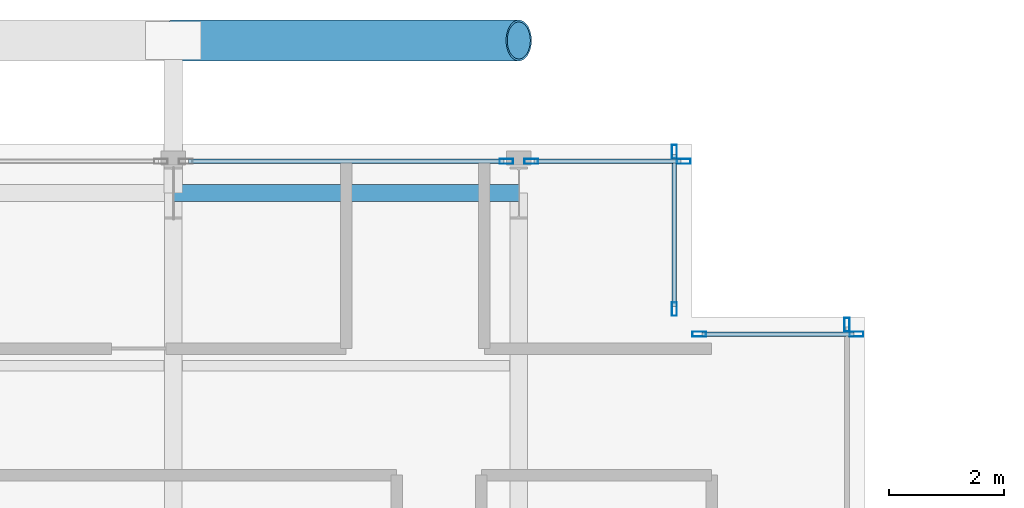
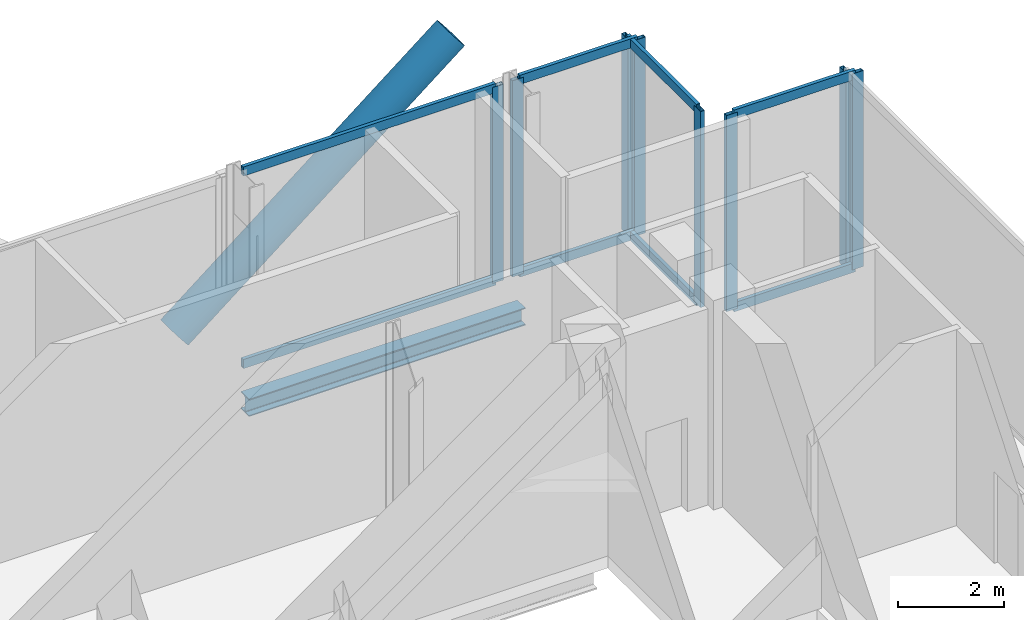
# One storey, part 12 of 22: 17 members, 1 beam, 5 elements without a shape of their own.
"""IFC4 building model written with IfcOpenShell, lengths in metres."""

from ifc_helpers import new_model, si_unit, direction, frame, origin, origin_2d, place, context, subcontext, project, spatial, hollow_rectangle, hollow_circle, i_section, extrude, material, layer, layer_set, material_profile, profile_set, type_object, element, aggregate, save


model = new_model("IFC4")

# Units and contexts
model_context = context("Model", 3, precision=1e-05, world=origin(), true_north=direction((0.0, 1.0)))
body_context = subcontext(model_context, "Body", "Model", "MODEL_VIEW")
ifc_project = project(units=[si_unit("LENGTHUNIT", "METRE"), si_unit("AREAUNIT", "SQUARE_METRE"), si_unit("VOLUMEUNIT", "CUBIC_METRE"), si_unit("PLANEANGLEUNIT", "RADIAN"), si_unit("MASSUNIT", "GRAM", prefix="KILO"), si_unit("THERMODYNAMICTEMPERATUREUNIT", "KELVIN"), si_unit("POWERUNIT", "WATT")], contexts=[model_context])

# Site, building, storey
site_placement = place(None, origin())
site = spatial("IfcSite", under=ifc_project, at=site_placement, CompositionType="ELEMENT")
building_placement = place(site_placement, origin())
building = spatial("IfcBuilding", under=site, at=building_placement, Name="Svarakhadi Broadcast Tower", CompositionType="ELEMENT")
storey_placement = place(building_placement, frame((0.0, 0.0, 199.199951171875)))
storey = spatial("IfcBuildingStorey", under=building, at=storey_placement, Name="L49", CompositionType="ELEMENT", Elevation=199.199951171875)

# Curtain wall, member
ifc_material_1 = material(Name="Anodised Bronze Aluminium AA 6063-T6", Category="aluminium")
ifc_layer = layer(ifc_material_1, 0.239990234375)
ifc_layer_set = layer_set([ifc_layer], Name="Anodised Bronze Aluminium AA 6063-T6")
curtain_wall_type = type_object("IfcCurtainWallType", Name="CW_Sys_06", PredefinedType="NOTDEFINED", material=ifc_layer_set)
curtain_wall_1_placement = place(storey_placement, origin())
curtain_wall_1 = element("IfcCurtainWall", 1, at=curtain_wall_1_placement, inside=storey, type_object=curtain_wall_type, Name="L49 Unitised Facade Curtain Wall 06 Bay 2", PredefinedType="NOTDEFINED")
ifc_material_profile_1 = material_profile(ifc_material_1, hollow_rectangle(XDim=0.090087890625, YDim=0.239990234375, WallThickness=0.006103515625, at=origin_2d()), Name="ALU MULLION 240x90x6")
ifc_profile_set_1 = profile_set([ifc_material_profile_1], Name="Anodised Bronze Aluminium AA 6063-T6")
member_type_1 = type_object("IfcMemberType", Name="CW_Sys_06_Mul", PredefinedType="MULLION", material=ifc_profile_set_1)
member_1_placement = place(storey_placement, frame((17.784912109375, 35.699951171875, 0.0), z_axis=(0.0, 0.0, 1.0), x_axis=(0.0, 1.0, 0.0)))
member_1 = element("IfcMember", 2, at=member_1_placement, type_object=member_type_1, Name="CW-06 mullion 2", PredefinedType="MULLION", context=body_context, shape_type="SweptSolid", body=[
    extrude(hollow_rectangle(XDim=0.090087890625, YDim=0.239990234375, WallThickness=0.006103515625, at=origin_2d()), origin(), (0.0, 0.0, 1.0), 4.5),
])

# Curtain wall, members
curtain_wall_2_placement = place(storey_placement, origin())
curtain_wall_2 = element("IfcCurtainWall", 3, at=curtain_wall_2_placement, inside=storey, type_object=curtain_wall_type, Name="L49 Unitised Facade Curtain Wall 06 Bay 3", PredefinedType="NOTDEFINED")
member_2_placement = place(storey_placement, frame((18.215087890625, 35.699951171875, 0.0), z_axis=(0.0, 0.0, 1.0), x_axis=(0.0, 1.0, 0.0)))
member_2 = element("IfcMember", 4, at=member_2_placement, type_object=member_type_1, Name="CW-06 mullion 1", PredefinedType="MULLION", context=body_context, shape_type="SweptSolid", body=[
    extrude(hollow_rectangle(XDim=0.090087890625, YDim=0.239990234375, WallThickness=0.006103515625, at=origin_2d()), origin(), (0.0, 0.0, 1.0), 4.5),
])
member_3_placement = place(storey_placement, frame((20.864990234375, 35.699951171875, 0.0), z_axis=(0.0, 0.0, 1.0), x_axis=(0.0, 1.0, 0.0)))
member_3 = element("IfcMember", 5, at=member_3_placement, type_object=member_type_1, Name="CW-06 mullion 2", PredefinedType="MULLION", context=body_context, shape_type="SweptSolid", body=[
    extrude(hollow_rectangle(XDim=0.090087890625, YDim=0.239990234375, WallThickness=0.006103515625, at=origin_2d()), origin(), (0.0, 0.0, 1.0), 4.5),
])

curtain_wall_3_placement = place(storey_placement, origin())
curtain_wall_3 = element("IfcCurtainWall", 6, at=curtain_wall_3_placement, inside=storey, type_object=curtain_wall_type, Name="L49 Unitised Facade Curtain Wall 07", PredefinedType="NOTDEFINED")
member_4_placement = place(storey_placement, frame((20.699951171875, 35.864990234375, 0.0), z_axis=(0.0, 0.0, 1.0), x_axis=(1.0, 0.0, 0.0)))
member_4 = element("IfcMember", 7, at=member_4_placement, type_object=member_type_1, Name="CW-06 mullion 1", PredefinedType="MULLION", context=body_context, shape_type="SweptSolid", body=[
    extrude(hollow_rectangle(XDim=0.090087890625, YDim=0.239990234375, WallThickness=0.006103515625, at=origin_2d()), origin(), (0.0, 0.0, 1.0), 4.5),
])
member_5_placement = place(storey_placement, frame((20.699951171875, 33.135009765625, 0.0), z_axis=(0.0, 0.0, 1.0), x_axis=(1.0, 0.0, 0.0)))
member_5 = element("IfcMember", 8, at=member_5_placement, type_object=member_type_1, Name="CW-06 mullion 2", PredefinedType="MULLION", context=body_context, shape_type="SweptSolid", body=[
    extrude(hollow_rectangle(XDim=0.090087890625, YDim=0.239990234375, WallThickness=0.006103515625, at=origin_2d()), origin(), (0.0, 0.0, 1.0), 4.5),
])

curtain_wall_4_placement = place(storey_placement, origin())
curtain_wall_4 = element("IfcCurtainWall", 9, at=curtain_wall_4_placement, inside=storey, type_object=curtain_wall_type, Name="L49 Unitised Facade Curtain Wall 08", PredefinedType="NOTDEFINED")
member_6_placement = place(storey_placement, frame((21.135009765625, 32.699951171875, 0.0), z_axis=(0.0, 0.0, 1.0), x_axis=(0.0, 1.0, 0.0)))
member_6 = element("IfcMember", 10, at=member_6_placement, type_object=member_type_1, Name="CW-06 mullion 1", PredefinedType="MULLION", context=body_context, shape_type="SweptSolid", body=[
    extrude(hollow_rectangle(XDim=0.090087890625, YDim=0.239990234375, WallThickness=0.006103515625, at=origin_2d()), origin(), (0.0, 0.0, 1.0), 4.5),
])
member_7_placement = place(storey_placement, frame((23.864990234375, 32.699951171875, 0.0), z_axis=(0.0, 0.0, 1.0), x_axis=(0.0, 1.0, 0.0)))
member_7 = element("IfcMember", 11, at=member_7_placement, type_object=member_type_1, Name="CW-06 mullion 2", PredefinedType="MULLION", context=body_context, shape_type="SweptSolid", body=[
    extrude(hollow_rectangle(XDim=0.090087890625, YDim=0.239990234375, WallThickness=0.006103515625, at=origin_2d()), origin(), (0.0, 0.0, 1.0), 4.5),
])

# Curtain wall, member
curtain_wall_5_placement = place(storey_placement, origin())
curtain_wall_5 = element("IfcCurtainWall", 12, at=curtain_wall_5_placement, inside=storey, type_object=curtain_wall_type, Name="L49 Unitised Facade Curtain Wall 09", PredefinedType="NOTDEFINED")
member_8_placement = place(storey_placement, frame((23.699951171875, 32.864990234375, 0.0), z_axis=(0.0, 0.0, 1.0), x_axis=(1.0, 0.0, 0.0)))
member_8 = element("IfcMember", 13, at=member_8_placement, type_object=member_type_1, Name="CW-06 mullion 1", PredefinedType="MULLION", context=body_context, shape_type="SweptSolid", body=[
    extrude(hollow_rectangle(XDim=0.090087890625, YDim=0.239990234375, WallThickness=0.006103515625, at=origin_2d()), origin(), (0.0, 0.0, 1.0), 4.5),
])
aggregate(curtain_wall_5, [member_8])

# Member
ifc_material_profile_2 = material_profile(ifc_material_1, hollow_rectangle(XDim=0.080078125, YDim=0.2099609375, WallThickness=0.0048828125, at=origin_2d()), Name="ALU TRANSOM 210x80x5")
ifc_profile_set_2 = profile_set([ifc_material_profile_2], Name="Anodised Bronze Aluminium AA 6063-T6")
member_type_2 = type_object("IfcMemberType", Name="CW_Sys_06_Trn", PredefinedType="USERDEFINED", material=ifc_profile_set_2)
member_9_placement = place(storey_placement, frame((12.260009765625, 35.699951171875, 0.0400390625), z_axis=(1.0, 0.0, 0.0), x_axis=(0.0, 1.0, 0.0)))
member_9 = element("IfcMember", 14, at=member_9_placement, type_object=member_type_2, Name="CW-06 transom 1.1", ObjectType="TRANSOM", PredefinedType="USERDEFINED", context=body_context, shape_type="SweptSolid", body=[
    extrude(hollow_rectangle(XDim=0.080078125, YDim=0.2099609375, WallThickness=0.0048828125, at=origin_2d()), origin(), (0.0, 0.0, 1.0), 5.47998046875),
])

member_10_placement = place(storey_placement, frame((12.260009765625, 35.699951171875, 4.4599609375), z_axis=(1.0, 0.0, 0.0), x_axis=(0.0, 1.0, 0.0)))
member_10 = element("IfcMember", 15, at=member_10_placement, type_object=member_type_2, Name="CW-06 transom 1.2", ObjectType="TRANSOM", PredefinedType="USERDEFINED", context=body_context, shape_type="SweptSolid", body=[
    extrude(hollow_rectangle(XDim=0.080078125, YDim=0.2099609375, WallThickness=0.0048828125, at=origin_2d()), origin(), (0.0, 0.0, 1.0), 5.47998046875),
])

aggregate(curtain_wall_1, [member_1, member_9, member_10])

member_11_placement = place(storey_placement, frame((18.260009765625, 35.699951171875, 0.0400390625), z_axis=(1.0, 0.0, 0.0), x_axis=(0.0, 1.0, 0.0)))
member_11 = element("IfcMember", 16, at=member_11_placement, type_object=member_type_2, Name="CW-06 transom 1.1", ObjectType="TRANSOM", PredefinedType="USERDEFINED", context=body_context, shape_type="SweptSolid", body=[
    extrude(hollow_rectangle(XDim=0.080078125, YDim=0.2099609375, WallThickness=0.0048828125, at=origin_2d()), origin(), (0.0, 0.0, 1.0), 2.56005859375),
])

member_12_placement = place(storey_placement, frame((18.260009765625, 35.699951171875, 4.4599609375), z_axis=(1.0, 0.0, 0.0), x_axis=(0.0, 1.0, 0.0)))
member_12 = element("IfcMember", 17, at=member_12_placement, type_object=member_type_2, Name="CW-06 transom 1.2", ObjectType="TRANSOM", PredefinedType="USERDEFINED", context=body_context, shape_type="SweptSolid", body=[
    extrude(hollow_rectangle(XDim=0.080078125, YDim=0.2099609375, WallThickness=0.0048828125, at=origin_2d()), origin(), (0.0, 0.0, 1.0), 2.56005859375),
])

aggregate(curtain_wall_2, [member_2, member_3, member_11, member_12])

member_13_placement = place(storey_placement, frame((20.699951171875, 35.820068359375, 0.0400390625), z_axis=(0.0, -1.0, 0.0), x_axis=(1.0, 0.0, 0.0)))
member_13 = element("IfcMember", 18, at=member_13_placement, type_object=member_type_2, Name="CW-06 transom 1.1", ObjectType="TRANSOM", PredefinedType="USERDEFINED", context=body_context, shape_type="SweptSolid", body=[
    extrude(hollow_rectangle(XDim=0.080078125, YDim=0.2099609375, WallThickness=0.0048828125, at=origin_2d()), origin(), (0.0, 0.0, 1.0), 2.64013671875),
])

member_14_placement = place(storey_placement, frame((20.699951171875, 35.820068359375, 4.4599609375), z_axis=(0.0, -1.0, 0.0), x_axis=(1.0, 0.0, 0.0)))
member_14 = element("IfcMember", 19, at=member_14_placement, type_object=member_type_2, Name="CW-06 transom 1.2", ObjectType="TRANSOM", PredefinedType="USERDEFINED", context=body_context, shape_type="SweptSolid", body=[
    extrude(hollow_rectangle(XDim=0.080078125, YDim=0.2099609375, WallThickness=0.0048828125, at=origin_2d()), origin(), (0.0, 0.0, 1.0), 2.64013671875),
])

aggregate(curtain_wall_3, [member_4, member_5, member_13, member_14])

member_15_placement = place(storey_placement, frame((21.179931640625, 32.699951171875, 0.0400390625), z_axis=(1.0, 0.0, 0.0), x_axis=(0.0, 1.0, 0.0)))
member_15 = element("IfcMember", 20, at=member_15_placement, type_object=member_type_2, Name="CW-06 transom 1.1", ObjectType="TRANSOM", PredefinedType="USERDEFINED", context=body_context, shape_type="SweptSolid", body=[
    extrude(hollow_rectangle(XDim=0.080078125, YDim=0.2099609375, WallThickness=0.0048828125, at=origin_2d()), origin(), (0.0, 0.0, 1.0), 2.64013671875),
])

member_16_placement = place(storey_placement, frame((21.179931640625, 32.699951171875, 4.4599609375), z_axis=(1.0, 0.0, 0.0), x_axis=(0.0, 1.0, 0.0)))
member_16 = element("IfcMember", 21, at=member_16_placement, type_object=member_type_2, Name="CW-06 transom 1.2", ObjectType="TRANSOM", PredefinedType="USERDEFINED", context=body_context, shape_type="SweptSolid", body=[
    extrude(hollow_rectangle(XDim=0.080078125, YDim=0.2099609375, WallThickness=0.0048828125, at=origin_2d()), origin(), (0.0, 0.0, 1.0), 2.64013671875),
])

aggregate(curtain_wall_4, [member_6, member_7, member_15, member_16])

ifc_material_2 = material(Name="Steel S460ML (IS 2062 E450BR)", Category="steel")
ifc_material_profile_3 = material_profile(ifc_material_2, hollow_circle(Radius=0.35546875, WallThickness=0.034912109375, at=origin_2d()), Name="CHS 711x35")
ifc_profile_set_3 = profile_set([ifc_material_profile_3], Name="Steel S460ML (IS 2062 E450BR)")
member_type_3 = type_object("IfcMemberType", Name="Exo_Brace_CHS711", PredefinedType="BRACE", material=ifc_profile_set_3)
member_17_placement = place(storey_placement, frame((12.0, 37.800048828125, -0.43701171875), z_axis=(0.782447330292, 0.0, 0.622716769742), x_axis=(0.0, 1.0, 0.0)))
element("IfcMember", 22, at=member_17_placement, inside=storey, type_object=member_type_3, Name="L49 Exposed Bronze Exoskeleton Diagonal N07", PredefinedType="BRACE", context=body_context, shape_type="SweptSolid", body=[
    extrude(hollow_circle(Radius=0.35546875, WallThickness=0.034912109375, at=origin_2d()), origin(), (0.0, 0.0, 1.0), 7.668212890625),
])

# Beam
ifc_material_3 = material(Name="Steel S355J2 (IS 2062 E350C)", Category="steel")
ifc_material_profile_4 = material_profile(ifc_material_3, i_section(OverallWidth=0.300048828125, OverallDepth=0.39990234375, WebThickness=0.013427734375, FlangeThickness=0.02392578125, FilletRadius=0.027099609375, at=origin_2d()), Name="WPB 400x300x155")
ifc_profile_set_4 = profile_set([ifc_material_profile_4], Name="Steel S355J2 (IS 2062 E350C)")
beam_type = type_object("IfcBeamType", Name="Girder_WPB400", PredefinedType="USERDEFINED", material=ifc_profile_set_4)
beam_placement = place(storey_placement, frame((12.0, 35.14990234375, -0.474853515625), z_axis=(1.0, 0.0, 0.0), x_axis=(0.0, 1.0, 0.0)))
element("IfcBeam", 23, at=beam_placement, inside=storey, type_object=beam_type, Name="L49 Primary E-W Girder G032", ObjectType="GIRDER", PredefinedType="USERDEFINED", context=body_context, shape_type="SweptSolid", body=[
    extrude(i_section(OverallWidth=0.300048828125, OverallDepth=0.39990234375, WebThickness=0.013427734375, FlangeThickness=0.02392578125, FilletRadius=0.027099609375, at=origin_2d()), origin(), (0.0, 0.0, 1.0), 6.0),
])

save(model, "model.ifc")
